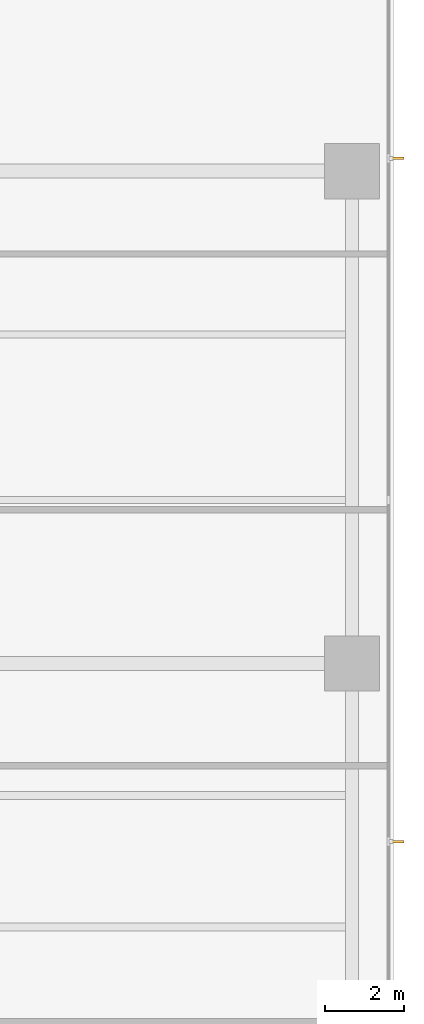
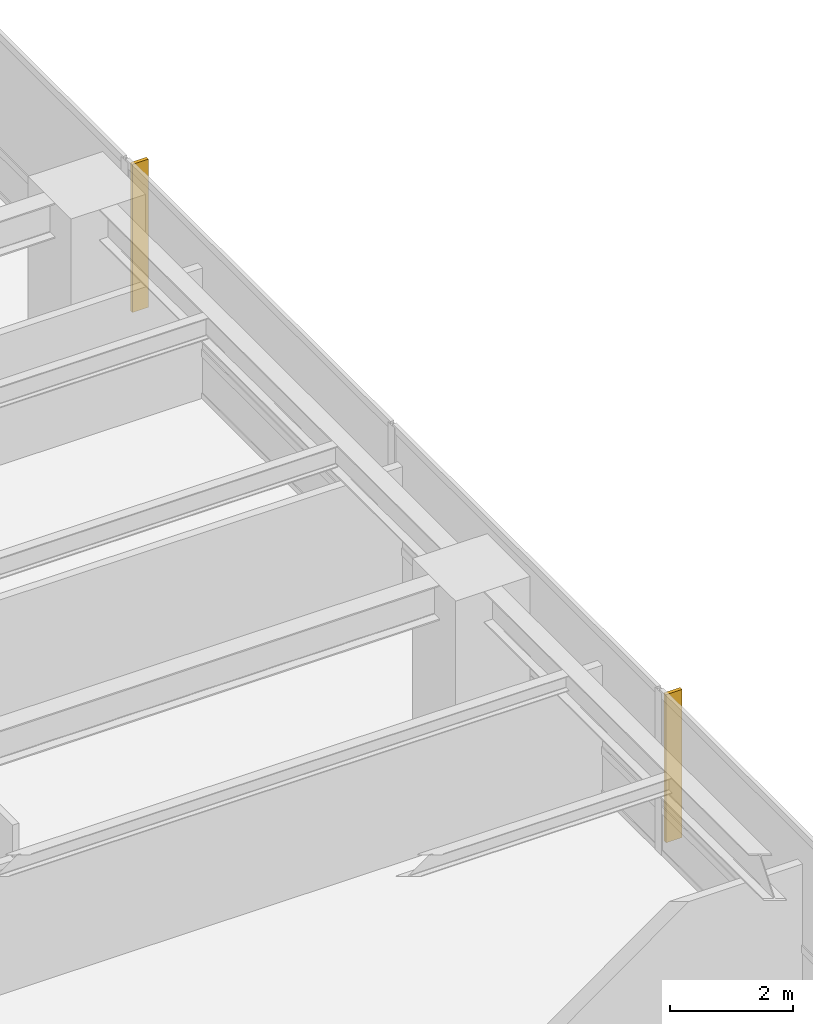
# One storey, part 16 of 17: 2 shading devices.
"""IFC4 building model written with IfcOpenShell, lengths in metres."""

from ifc_helpers import new_model, si_unit, direction, frame, origin, place, context, subcontext, project, spatial, polyline, outline, extrude, material, layer, layer_set, type_object, element, save


model = new_model("IFC4")

# Units and contexts
model_context = context("Model", 3, precision=1e-05, world=origin(), true_north=direction((0.0, 1.0)))
body_context = subcontext(model_context, "Body", "Model", "MODEL_VIEW")
ifc_project = project(units=[si_unit("LENGTHUNIT", "METRE"), si_unit("AREAUNIT", "SQUARE_METRE"), si_unit("VOLUMEUNIT", "CUBIC_METRE"), si_unit("PLANEANGLEUNIT", "RADIAN"), si_unit("MASSUNIT", "GRAM", prefix="KILO")], contexts=[model_context])

# Site, building, storey
site_placement = place(None, origin())
site = spatial("IfcSite", under=ifc_project, at=site_placement, CompositionType="ELEMENT")
building_placement = place(site_placement, origin())
building = spatial("IfcBuilding", under=site, at=building_placement, Name="Qalmaran Belvedere Hotel", CompositionType="ELEMENT")
storey_placement = place(building_placement, frame((0.0, 0.0, 47.39990234375)))
storey = spatial("IfcBuildingStorey", under=building, at=storey_placement, Name="L11", CompositionType="ELEMENT", Elevation=47.39990234375)

# Shading devices
ifc_material = material(Name="Anodised Bronze Aluminium", Category="aluminium")
ifc_layer = layer(ifc_material, 0.06494140625, Name="Anodised Bronze Aluminium")
ifc_layer_set = layer_set([ifc_layer], Name="Anodised Bronze Aluminium")
shading_device_type = type_object("IfcShadingDeviceType", Name="FIN-BRNZ-300", PredefinedType="USERDEFINED", material=ifc_layer_set)
shading_device_1_placement = place(storey_placement, frame((0.0, 0.0, 0.16015625)))
element("IfcShadingDevice", 1, at=shading_device_1_placement, inside=storey, type_object=shading_device_type, Name="L11 Bronze Fin 1", ObjectType="FIN", PredefinedType="USERDEFINED", context=body_context, shape_type="SweptSolid", body=[
    extrude(outline(polyline([(61.7724609375, 15.9423828125), (62.072509765625, 15.9423828125), (62.072509765625, 16.007568359375), (61.7724609375, 16.007568359375), (61.7724609375, 15.9423828125)])), origin(), (0.0, 0.0, 1.0), 2.93994140625),
])
shading_device_2_placement = place(storey_placement, frame((0.0, 0.0, 0.16015625)))
element("IfcShadingDevice", 2, at=shading_device_2_placement, inside=storey, type_object=shading_device_type, Name="L11 Bronze Fin 3", ObjectType="FIN", PredefinedType="USERDEFINED", context=body_context, shape_type="SweptSolid", body=[
    extrude(outline(polyline([(61.7724609375, 33.29248046875), (62.072509765625, 33.29248046875), (62.072509765625, 33.357421875), (61.7724609375, 33.357421875), (61.7724609375, 33.29248046875)])), origin(), (0.0, 0.0, 1.0), 2.93994140625),
])

save(model, "model.ifc")
